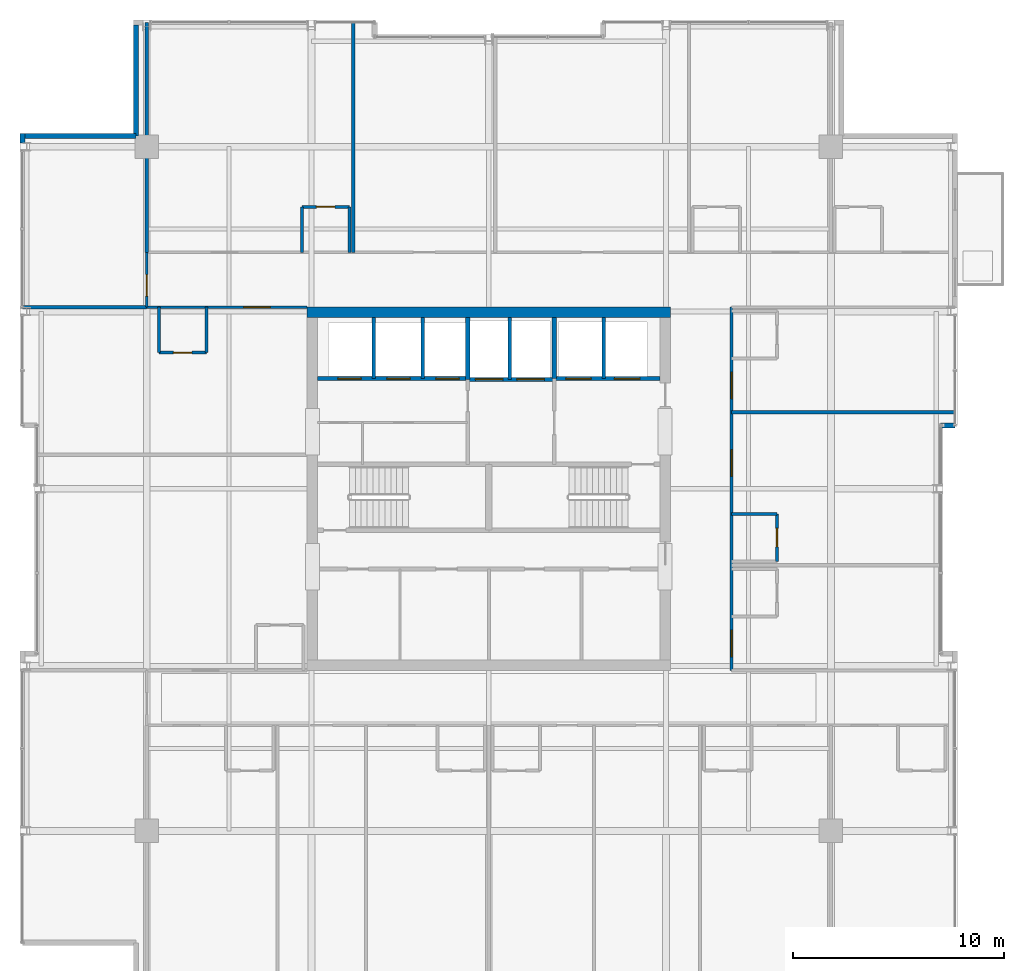
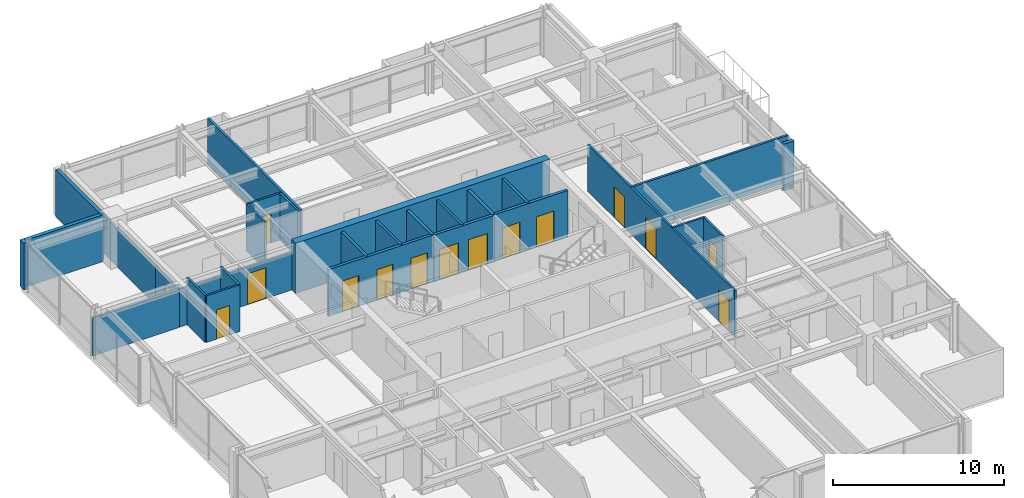
# One storey, part 29 of 33: 29 walls, 15 doors, 15 openings.
"""IFC4 building model written with IfcOpenShell, lengths in metres."""

from ifc_helpers import new_model, si_unit, direction, frame, frame_2d, origin, place, context, subcontext, project, spatial, rectangle, extrude, material, layer, layer_set, type_object, element, fill, save


model = new_model("IFC4")

# Units and contexts
model_context = context("Model", 3, precision=1e-05, world=origin(), true_north=direction((0.0, 1.0)))
body_context = subcontext(model_context, "Body", "Model", "MODEL_VIEW")
ifc_project = project(units=[si_unit("LENGTHUNIT", "METRE"), si_unit("AREAUNIT", "SQUARE_METRE"), si_unit("VOLUMEUNIT", "CUBIC_METRE"), si_unit("PLANEANGLEUNIT", "RADIAN"), si_unit("MASSUNIT", "GRAM", prefix="KILO")], contexts=[model_context])

# Site, building, storey
site_placement = place(None, origin())
site = spatial("IfcSite", under=ifc_project, at=site_placement, CompositionType="ELEMENT")
building_placement = place(site_placement, origin())
building = spatial("IfcBuilding", under=site, at=building_placement, Name="Drelvath Grand Hotel", CompositionType="ELEMENT")
storey_placement = place(building_placement, frame((0.0, 0.0, 248.300048828125)))
storey = spatial("IfcBuildingStorey", under=building, at=storey_placement, Name="L65", CompositionType="ELEMENT", Elevation=248.300048828125)

# Wall, openings, doors
ifc_material_1 = material(Name="Concrete C40/50", Category="concrete")
ifc_layer_1 = layer(ifc_material_1, 0.199951171875)
ifc_layer_set_1 = layer_set([ifc_layer_1], Name="Concrete C40/50")
wall_type_1 = type_object("IfcWallType", Name="Core Hoistway Fire Wall 200", PredefinedType="SOLIDWALL", material=ifc_layer_set_1)
wall_1_placement = place(storey_placement, frame((3.10009765625, 32.219970703125, 0.0), z_axis=(0.0, 0.0, 1.0), x_axis=(1.0, 0.0, 0.0)))
wall_1 = element("IfcWall", 1, at=wall_1_placement, inside=storey, type_object=wall_type_1, Name="L65 FSAE Hoistway Front Wall", PredefinedType="SOLIDWALL", context=body_context, shape_type="SweptSolid", body=[
    extrude(rectangle(XDim=5.0, YDim=0.199951171875, at=frame_2d((2.5, 0.0))), origin(), (0.0, 0.0, 1.0), 3.33984375),
])
opening_1_placement = place(wall_1_placement, frame((0.550048828125, 0.0, 0.0)))
opening_1 = element("IfcOpeningElement", 2, at=opening_1_placement, cuts=wall_1, Name="Opening LD-FSAE-1", PredefinedType="OPENING", context=body_context, shape_type="SweptSolid", body=[
    extrude(rectangle(XDim=1.199951171875, YDim=2.199951171875, at=frame_2d((0.60009765625, 1.10009765625))), frame((0.0, 0.10986328125, 0.0), z_axis=(0.0, -1.0, 0.0), x_axis=(1.0, 0.0, 0.0)), (0.0, 0.0, 1.0), 0.219970703125),
])
opening_2_placement = place(wall_1_placement, frame((2.85009765625, 0.0, 0.0)))
opening_2 = element("IfcOpeningElement", 3, at=opening_2_placement, cuts=wall_1, Name="Opening LD-FSAE-2", PredefinedType="OPENING", context=body_context, shape_type="SweptSolid", body=[
    extrude(rectangle(XDim=1.199951171875, YDim=2.199951171875, at=frame_2d((0.60009765625, 1.10009765625))), frame((0.0, 0.10986328125, 0.0), z_axis=(0.0, -1.0, 0.0), x_axis=(1.0, 0.0, 0.0)), (0.0, 0.0, 1.0), 0.219970703125),
])
ifc_material_2 = material(Name="Stainless Steel S355", Category="steel")
door_type_1 = type_object("IfcDoorType", Name="FSAE Lift Sliding Landing Door 1200x2200", OperationType="NOTDEFINED", PredefinedType="DOOR", material=ifc_material_2)
door_1_placement = place(opening_1_placement, origin())
door_1 = element("IfcDoor", 4, at=door_1_placement, inside=storey, type_object=door_type_1, Name="L65 Lift FSAE-1 Landing Door", OperationType="SLIDING_TO_LEFT", OverallHeight=2.199951171875, OverallWidth=1.199951171875, PredefinedType="DOOR", context=body_context, shape_type="SweptSolid", body=[
    extrude(rectangle(XDim=1.199951171875, YDim=2.199951171875, at=frame_2d((0.60009765625, 1.10009765625))), frame((0.0, 0.02490234375, 0.0), z_axis=(0.0, -1.0, 0.0), x_axis=(1.0, 0.0, 0.0)), (0.0, 0.0, 1.0), 0.050048828125),
])
fill(opening_1, door_1)
door_2_placement = place(opening_2_placement, origin())
door_2 = element("IfcDoor", 5, at=door_2_placement, inside=storey, type_object=door_type_1, Name="L65 Lift FSAE-2 Landing Door", OperationType="SLIDING_TO_LEFT", OverallHeight=2.199951171875, OverallWidth=1.199951171875, PredefinedType="DOOR", context=body_context, shape_type="SweptSolid", body=[
    extrude(rectangle(XDim=1.199951171875, YDim=2.199951171875, at=frame_2d((0.60009765625, 1.10009765625))), frame((0.0, 0.02490234375, 0.0), z_axis=(0.0, -1.0, 0.0), x_axis=(1.0, 0.0, 0.0)), (0.0, 0.0, 1.0), 0.050048828125),
])
fill(opening_2, door_2)

# Wall
wall_2_placement = place(storey_placement, frame((3.10009765625, 32.219970703125, 0.0), z_axis=(0.0, 0.0, 1.0), x_axis=(0.0, 1.0, 0.0)))
element("IfcWall", 6, at=wall_2_placement, inside=storey, type_object=wall_type_1, Name="L65 FSAE Hoistway West Wall", PredefinedType="SOLIDWALL", context=body_context, shape_type="SweptSolid", body=[
    extrude(rectangle(XDim=2.880126953125, YDim=0.199951171875, at=frame_2d((1.43994140625, 0.0))), origin(), (0.0, 0.0, 1.0), 3.33984375),
])

# Wall, openings, doors
wall_3_placement = place(storey_placement, frame((-1.0, 32.179931640625, 0.0), z_axis=(0.0, 0.0, 1.0), x_axis=(1.0, 0.0, 0.0)))
wall_3 = element("IfcWall", 7, at=wall_3_placement, inside=storey, type_object=wall_type_1, Name="L65 Service Lift Hoistway Wall", PredefinedType="SOLIDWALL", context=body_context, shape_type="SweptSolid", body=[
    extrude(rectangle(XDim=4.10009765625, YDim=0.199951171875, at=frame_2d((2.050048828125, 0.0))), origin(), (0.0, 0.0, 1.0), 3.33984375),
])
opening_3_placement = place(wall_3_placement, frame((0.3701171875, 0.0, 0.0)))
opening_3 = element("IfcOpeningElement", 8, at=opening_3_placement, cuts=wall_3, Name="Opening LD-SV-2", PredefinedType="OPENING", context=body_context, shape_type="SweptSolid", body=[
    extrude(rectangle(XDim=1.300048828125, YDim=2.199951171875, at=frame_2d((0.64990234375, 1.10009765625))), frame((0.0, 0.10986328125, 0.0), z_axis=(0.0, -1.0, 0.0), x_axis=(1.0, 0.0, 0.0)), (0.0, 0.0, 1.0), 0.219970703125),
])
opening_4_placement = place(wall_3_placement, frame((2.330078125, 0.0, 0.0)))
opening_4 = element("IfcOpeningElement", 9, at=opening_4_placement, cuts=wall_3, Name="Opening LD-SV-1", PredefinedType="OPENING", context=body_context, shape_type="SweptSolid", body=[
    extrude(rectangle(XDim=1.300048828125, YDim=2.199951171875, at=frame_2d((0.64990234375, 1.10009765625))), frame((0.0, 0.10986328125, 0.0), z_axis=(0.0, -1.0, 0.0), x_axis=(1.0, 0.0, 0.0)), (0.0, 0.0, 1.0), 0.219970703125),
])
door_type_2 = type_object("IfcDoorType", Name="Service Lift Sliding Landing Door 1300x2200", OperationType="NOTDEFINED", PredefinedType="DOOR", material=ifc_material_2)
door_3_placement = place(opening_3_placement, origin())
door_3 = element("IfcDoor", 10, at=door_3_placement, inside=storey, type_object=door_type_2, Name="L65 Lift SV-2 Landing Door", OperationType="SLIDING_TO_LEFT", OverallHeight=2.199951171875, OverallWidth=1.300048828125, PredefinedType="DOOR", context=body_context, shape_type="SweptSolid", body=[
    extrude(rectangle(XDim=1.300048828125, YDim=2.199951171875, at=frame_2d((0.64990234375, 1.10009765625))), frame((0.0, 0.02490234375, 0.0), z_axis=(0.0, -1.0, 0.0), x_axis=(1.0, 0.0, 0.0)), (0.0, 0.0, 1.0), 0.050048828125),
])
fill(opening_3, door_3)
door_4_placement = place(opening_4_placement, origin())
door_4 = element("IfcDoor", 11, at=door_4_placement, inside=storey, type_object=door_type_2, Name="L65 Lift SV-1 Landing Door", OperationType="SLIDING_TO_LEFT", OverallHeight=2.199951171875, OverallWidth=1.300048828125, PredefinedType="DOOR", context=body_context, shape_type="SweptSolid", body=[
    extrude(rectangle(XDim=1.300048828125, YDim=2.199951171875, at=frame_2d((0.64990234375, 1.10009765625))), frame((0.0, 0.02490234375, 0.0), z_axis=(0.0, -1.0, 0.0), x_axis=(1.0, 0.0, 0.0)), (0.0, 0.0, 1.0), 0.050048828125),
])
fill(opening_4, door_4)

# Wall
wall_4_placement = place(storey_placement, frame((-1.0, 32.179931640625, 0.0), z_axis=(0.0, 0.0, 1.0), x_axis=(0.0, 1.0, 0.0)))
element("IfcWall", 12, at=wall_4_placement, inside=storey, type_object=wall_type_1, Name="L65 Service Lift West Wall", PredefinedType="SOLIDWALL", context=body_context, shape_type="SweptSolid", body=[
    extrude(rectangle(XDim=2.920166015625, YDim=0.199951171875, at=frame_2d((1.4599609375, 0.0))), origin(), (0.0, 0.0, 1.0), 3.33984375),
])

# Wall, openings, doors
wall_5_placement = place(storey_placement, frame((-8.10009765625, 32.219970703125, 0.0), z_axis=(0.0, 0.0, 1.0), x_axis=(1.0, 0.0, 0.0)))
wall_5 = element("IfcWall", 13, at=wall_5_placement, inside=storey, type_object=wall_type_1, Name="L65 Bank 3 Hoistway Wall", PredefinedType="SOLIDWALL", context=body_context, shape_type="SweptSolid", body=[
    extrude(rectangle(XDim=7.10009765625, YDim=0.199951171875, at=frame_2d((3.550048828125, 0.0))), origin(), (0.0, 0.0, 1.0), 3.33984375),
])
opening_5_placement = place(wall_5_placement, frame((0.949951171875, 0.0, 0.0)))
opening_5 = element("IfcOpeningElement", 14, at=opening_5_placement, cuts=wall_5, Name="Opening LD-PE-7", PredefinedType="OPENING", context=body_context, shape_type="SweptSolid", body=[
    extrude(rectangle(XDim=1.10009765625, YDim=2.199951171875, at=frame_2d((0.550048828125, 1.10009765625))), frame((0.0, 0.10986328125, 0.0), z_axis=(0.0, -1.0, 0.0), x_axis=(1.0, 0.0, 0.0)), (0.0, 0.0, 1.0), 0.219970703125),
])
opening_6_placement = place(wall_5_placement, frame((3.27001953125, 0.0, 0.0)))
opening_6 = element("IfcOpeningElement", 15, at=opening_6_placement, cuts=wall_5, Name="Opening LD-PE-8", PredefinedType="OPENING", context=body_context, shape_type="SweptSolid", body=[
    extrude(rectangle(XDim=1.10009765625, YDim=2.199951171875, at=frame_2d((0.550048828125, 1.10009765625))), frame((0.0, 0.10986328125, 0.0), z_axis=(0.0, -1.0, 0.0), x_axis=(1.0, 0.0, 0.0)), (0.0, 0.0, 1.0), 0.219970703125),
])
opening_7_placement = place(wall_5_placement, frame((5.590087890625, 0.0, 0.0)))
opening_7 = element("IfcOpeningElement", 16, at=opening_7_placement, cuts=wall_5, Name="Opening LD-PE-9", PredefinedType="OPENING", context=body_context, shape_type="SweptSolid", body=[
    extrude(rectangle(XDim=1.10009765625, YDim=2.199951171875, at=frame_2d((0.550048828125, 1.10009765625))), frame((0.0, 0.10986328125, 0.0), z_axis=(0.0, -1.0, 0.0), x_axis=(1.0, 0.0, 0.0)), (0.0, 0.0, 1.0), 0.219970703125),
])
door_type_3 = type_object("IfcDoorType", Name="Passenger Lift Sliding Landing Door 1100x2200", OperationType="NOTDEFINED", PredefinedType="DOOR", material=ifc_material_2)
door_5_placement = place(opening_5_placement, origin())
door_5 = element("IfcDoor", 17, at=door_5_placement, inside=storey, type_object=door_type_3, Name="L65 Lift PE-7 Landing Door", OperationType="SLIDING_TO_LEFT", OverallHeight=2.199951171875, OverallWidth=1.10009765625, PredefinedType="DOOR", context=body_context, shape_type="SweptSolid", body=[
    extrude(rectangle(XDim=1.10009765625, YDim=2.199951171875, at=frame_2d((0.550048828125, 1.10009765625))), frame((0.0, 0.02490234375, 0.0), z_axis=(0.0, -1.0, 0.0), x_axis=(1.0, 0.0, 0.0)), (0.0, 0.0, 1.0), 0.050048828125),
])
fill(opening_5, door_5)
door_6_placement = place(opening_6_placement, origin())
door_6 = element("IfcDoor", 18, at=door_6_placement, inside=storey, type_object=door_type_3, Name="L65 Lift PE-8 Landing Door", OperationType="SLIDING_TO_LEFT", OverallHeight=2.199951171875, OverallWidth=1.10009765625, PredefinedType="DOOR", context=body_context, shape_type="SweptSolid", body=[
    extrude(rectangle(XDim=1.10009765625, YDim=2.199951171875, at=frame_2d((0.550048828125, 1.10009765625))), frame((0.0, 0.02490234375, 0.0), z_axis=(0.0, -1.0, 0.0), x_axis=(1.0, 0.0, 0.0)), (0.0, 0.0, 1.0), 0.050048828125),
])
fill(opening_6, door_6)
door_7_placement = place(opening_7_placement, origin())
door_7 = element("IfcDoor", 19, at=door_7_placement, inside=storey, type_object=door_type_3, Name="L65 Lift PE-9 Landing Door", OperationType="SLIDING_TO_LEFT", OverallHeight=2.199951171875, OverallWidth=1.10009765625, PredefinedType="DOOR", context=body_context, shape_type="SweptSolid", body=[
    extrude(rectangle(XDim=1.10009765625, YDim=2.199951171875, at=frame_2d((0.550048828125, 1.10009765625))), frame((0.0, 0.02490234375, 0.0), z_axis=(0.0, -1.0, 0.0), x_axis=(1.0, 0.0, 0.0)), (0.0, 0.0, 1.0), 0.050048828125),
])
fill(opening_7, door_7)

# Walls
ifc_material_3 = material(Name="Gypsum Fireboard Partition")
ifc_layer_2 = layer(ifc_material_3, 0.1650390625)
ifc_layer_set_2 = layer_set([ifc_layer_2], Name="Gypsum Fireboard Partition")
wall_type_2 = type_object("IfcWallType", Name="Core Shaft Partition 165", PredefinedType="PARTITIONING", material=ifc_layer_set_2)
wall_6_placement = place(storey_placement, frame((5.449951171875, 32.219970703125, 0.0), z_axis=(0.0, 0.0, 1.0), x_axis=(0.0, 1.0, 0.0)))
element("IfcWall", 20, at=wall_6_placement, inside=storey, type_object=wall_type_2, Name="L65 FSAE Hoistway Divider", PredefinedType="PARTITIONING", context=body_context, shape_type="SweptSolid", body=[
    extrude(rectangle(XDim=2.880126953125, YDim=0.1650390625, at=frame_2d((1.43994140625, 0.0))), origin(), (0.0, 0.0, 1.0), 3.33984375),
])
wall_7_placement = place(storey_placement, frame((1.0, 32.179931640625, 0.0), z_axis=(0.0, 0.0, 1.0), x_axis=(0.0, 1.0, 0.0)))
element("IfcWall", 21, at=wall_7_placement, inside=storey, type_object=wall_type_2, Name="L65 Service Lift Divider", PredefinedType="PARTITIONING", context=body_context, shape_type="SweptSolid", body=[
    extrude(rectangle(XDim=2.920166015625, YDim=0.1650390625, at=frame_2d((1.4599609375, 0.0))), origin(), (0.0, 0.0, 1.0), 3.33984375),
])
for number, where, z_axis, x_axis, name in (
    (22, (-5.43994140625, 32.219970703125, 0.0), (0.0, 0.0, 1.0), (0.0, 1.0, 0.0), "L65 Lift PE-7/8 Divider"),
    (23, (-3.1201171875, 32.219970703125, 0.0), (0.0, 0.0, 1.0), (0.0, 1.0, 0.0), "L65 Lift PE-8/9 Divider"),
):
    element("IfcWall", number, at=place(storey_placement, frame(where, z_axis=z_axis, x_axis=x_axis)), inside=storey, type_object=wall_type_2, Name=name, PredefinedType="PARTITIONING", context=body_context, shape_type="SweptSolid", body=[
        extrude(rectangle(XDim=2.880126953125, YDim=0.1650390625, at=frame_2d((1.43994140625, 0.0))), origin(), (0.0, 0.0, 1.0), 3.33984375),
    ])

# Wall, opening, door
ifc_layer_3 = layer(ifc_material_3, 0.135009765625)
ifc_layer_set_3 = layer_set([ifc_layer_3], Name="Gypsum Fireboard Partition")
wall_type_3 = type_object("IfcWallType", Name="Corridor Fire Barrier Wall 135", PredefinedType="PARTITIONING", material=ifc_layer_set_3)
wall_8_placement = place(storey_placement, frame((-16.199951171875, 35.60009765625, 0.0), z_axis=(0.0, 0.0, 1.0), x_axis=(1.0, 0.0, 0.0)))
wall_8 = element("IfcWall", 24, at=wall_8_placement, inside=storey, type_object=wall_type_3, Name="L65 North Gallery Inner West Wall", PredefinedType="PARTITIONING", context=body_context, shape_type="SweptSolid", body=[
    extrude(rectangle(XDim=7.599853515625, YDim=0.135009765625, at=frame_2d((3.7998046875, 0.0))), origin(), (0.0, 0.0, 1.0), 2.71728515625),
])
opening_8_placement = place(wall_8_placement, frame((4.5849609375, 0.0, 0.0)))
opening_8 = element("IfcOpeningElement", 25, at=opening_8_placement, cuts=wall_8, Name="Opening D-T4G5-051", PredefinedType="OPENING", context=body_context, shape_type="SweptSolid", body=[
    extrude(rectangle(XDim=1.260009765625, YDim=2.199951171875, at=frame_2d((0.6298828125, 1.10009765625))), frame((0.0, 0.077392578125, 0.0), z_axis=(0.0, -1.0, 0.0), x_axis=(1.0, 0.0, 0.0)), (0.0, 0.0, 1.0), 0.155029296875),
])
ifc_material_4 = material(Name="Hardwood Walnut Timber", Category="wood")
door_type_4 = type_object("IfcDoorType", Name="Suite Entrance Fire Door 1260x2200", OperationType="NOTDEFINED", PredefinedType="DOOR", material=ifc_material_4)
door_8_placement = place(opening_8_placement, origin())
door_8 = element("IfcDoor", 26, at=door_8_placement, inside=storey, type_object=door_type_4, Name="L65 Diplomatic Suite Entry Door", OperationType="SINGLE_SWING_RIGHT", OverallHeight=2.199951171875, OverallWidth=1.260009765625, PredefinedType="DOOR", context=body_context, shape_type="SweptSolid", body=[
    extrude(rectangle(XDim=1.260009765625, YDim=2.199951171875, at=frame_2d((0.6298828125, 1.10009765625))), frame((0.0, 0.02490234375, 0.0), z_axis=(0.0, -1.0, 0.0), x_axis=(1.0, 0.0, 0.0)), (0.0, 0.0, 1.0), 0.050048828125),
])
fill(opening_8, door_8)

# Wall, openings, doors
wall_9_placement = place(storey_placement, frame((11.5, 18.39990234375, 0.0), z_axis=(0.0, 0.0, 1.0), x_axis=(0.0, 1.0, 0.0)))
wall_9 = element("IfcWall", 27, at=wall_9_placement, inside=storey, type_object=wall_type_3, Name="L65 East Gallery Link Wall", PredefinedType="PARTITIONING", context=body_context, shape_type="SweptSolid", body=[
    extrude(rectangle(XDim=17.2001953125, YDim=0.135009765625, at=frame_2d((8.60009765625, 0.0))), origin(), (0.0, 0.0, 1.0), 3.33984375),
])
opening_9_placement = place(wall_9_placement, frame((0.64453125, 0.0, 0.0)))
opening_9 = element("IfcOpeningElement", 28, at=opening_9_placement, cuts=wall_9, Name="Opening D-T4G5-043", PredefinedType="OPENING", context=body_context, shape_type="SweptSolid", body=[
    extrude(rectangle(XDim=1.260009765625, YDim=2.199951171875, at=frame_2d((0.6298828125, 1.10009765625))), frame((0.0, 0.077392578125, 0.0), z_axis=(0.0, -1.0, 0.0), x_axis=(1.0, 0.0, 0.0)), (0.0, 0.0, 1.0), 0.155029296875),
])
opening_10_placement = place(wall_9_placement, frame((9.18505859375, 0.0, 0.0)))
opening_10 = element("IfcOpeningElement", 29, at=opening_10_placement, cuts=wall_9, Name="Opening D-T4G5-045", PredefinedType="OPENING", context=body_context, shape_type="SweptSolid", body=[
    extrude(rectangle(XDim=1.260009765625, YDim=2.199951171875, at=frame_2d((0.6298828125, 1.10009765625))), frame((0.0, 0.077392578125, 0.0), z_axis=(0.0, -1.0, 0.0), x_axis=(1.0, 0.0, 0.0)), (0.0, 0.0, 1.0), 0.155029296875),
])
opening_11_placement = place(wall_9_placement, frame((12.865478515625, 0.0, 0.0)))
opening_11 = element("IfcOpeningElement", 30, at=opening_11_placement, cuts=wall_9, Name="Opening D-T4G5-047", PredefinedType="OPENING", context=body_context, shape_type="SweptSolid", body=[
    extrude(rectangle(XDim=1.260009765625, YDim=2.199951171875, at=frame_2d((0.6298828125, 1.10009765625))), frame((0.0, 0.077392578125, 0.0), z_axis=(0.0, -1.0, 0.0), x_axis=(1.0, 0.0, 0.0)), (0.0, 0.0, 1.0), 0.155029296875),
])
door_9_placement = place(opening_9_placement, origin())
door_9 = element("IfcDoor", 31, at=door_9_placement, inside=storey, type_object=door_type_4, Name="L65 Diplomatic Suite Entry Door", OperationType="SINGLE_SWING_RIGHT", OverallHeight=2.199951171875, OverallWidth=1.260009765625, PredefinedType="DOOR", context=body_context, shape_type="SweptSolid", body=[
    extrude(rectangle(XDim=1.260009765625, YDim=2.199951171875, at=frame_2d((0.6298828125, 1.10009765625))), frame((0.0, 0.02490234375, 0.0), z_axis=(0.0, -1.0, 0.0), x_axis=(1.0, 0.0, 0.0)), (0.0, 0.0, 1.0), 0.050048828125),
])
fill(opening_9, door_9)
door_10_placement = place(opening_10_placement, origin())
door_10 = element("IfcDoor", 32, at=door_10_placement, inside=storey, type_object=door_type_4, Name="L65 Diplomatic Suite Entry Door", OperationType="SINGLE_SWING_RIGHT", OverallHeight=2.199951171875, OverallWidth=1.260009765625, PredefinedType="DOOR", context=body_context, shape_type="SweptSolid", body=[
    extrude(rectangle(XDim=1.260009765625, YDim=2.199951171875, at=frame_2d((0.6298828125, 1.10009765625))), frame((0.0, 0.02490234375, 0.0), z_axis=(0.0, -1.0, 0.0), x_axis=(1.0, 0.0, 0.0)), (0.0, 0.0, 1.0), 0.050048828125),
])
fill(opening_10, door_10)
door_11_placement = place(opening_11_placement, origin())
door_11 = element("IfcDoor", 33, at=door_11_placement, inside=storey, type_object=door_type_4, Name="L65 Diplomatic Suite Entry Door", OperationType="SINGLE_SWING_RIGHT", OverallHeight=2.199951171875, OverallWidth=1.260009765625, PredefinedType="DOOR", context=body_context, shape_type="SweptSolid", body=[
    extrude(rectangle(XDim=1.260009765625, YDim=2.199951171875, at=frame_2d((0.6298828125, 1.10009765625))), frame((0.0, 0.02490234375, 0.0), z_axis=(0.0, -1.0, 0.0), x_axis=(1.0, 0.0, 0.0)), (0.0, 0.0, 1.0), 0.050048828125),
])
fill(opening_11, door_11)

# Wall, opening, door
wall_10_placement = place(storey_placement, frame((-16.199951171875, 35.60009765625, 0.0), z_axis=(0.0, 0.0, 1.0), x_axis=(0.0, 1.0, 0.0)))
wall_10 = element("IfcWall", 34, at=wall_10_placement, inside=storey, type_object=wall_type_3, Name="L65 North Gallery West End", PredefinedType="PARTITIONING", context=body_context, shape_type="SweptSolid", body=[
    extrude(rectangle(XDim=2.599853515625, YDim=0.135009765625, at=frame_2d((1.2998046875, 0.0))), origin(), (0.0, 0.0, 1.0), 2.7138671875),
])
opening_12_placement = place(wall_10_placement, frame((0.52001953125, 0.0, 0.0)))
opening_12 = element("IfcOpeningElement", 35, at=opening_12_placement, cuts=wall_10, Name="Opening D-T4G5-021", PredefinedType="OPENING", context=body_context, shape_type="SweptSolid", body=[
    extrude(rectangle(XDim=1.02001953125, YDim=2.14990234375, at=frame_2d((0.510009765625, 1.074951171875))), frame((0.0, 0.077392578125, 0.0), z_axis=(0.0, -1.0, 0.0), x_axis=(1.0, 0.0, 0.0)), (0.0, 0.0, 1.0), 0.155029296875),
])
door_type_5 = type_object("IfcDoorType", Name="Amenity Meeting Fire Door 1020x2150", OperationType="NOTDEFINED", PredefinedType="DOOR", material=ifc_material_4)
door_12_placement = place(opening_12_placement, origin())
door_12 = element("IfcDoor", 36, at=door_12_placement, inside=storey, type_object=door_type_5, Name="L65 Corner Panorama Lounge Door", OperationType="SINGLE_SWING_RIGHT", OverallHeight=2.14990234375, OverallWidth=1.02001953125, PredefinedType="DOOR", context=body_context, shape_type="SweptSolid", body=[
    extrude(rectangle(XDim=1.02001953125, YDim=2.14990234375, at=frame_2d((0.510009765625, 1.074951171875))), frame((0.0, 0.02490234375, 0.0), z_axis=(0.0, -1.0, 0.0), x_axis=(1.0, 0.0, 0.0)), (0.0, 0.0, 1.0), 0.050048828125),
])
fill(opening_12, door_12)

# Walls
ifc_material_5 = material(Name="Moisture-Resistant Gypsum Board")
ifc_layer_4 = layer(ifc_material_5, 0.139892578125)
ifc_layer_set_4 = layer_set([ifc_layer_4], Name="Moisture-Resistant Gypsum Board")
wall_type_4 = type_object("IfcWallType", Name="En-Suite Plumbing Wall 140", PredefinedType="PLUMBINGWALL", material=ifc_layer_set_4)
for number, where, z_axis, x_axis, name in (
    (37, (-8.848876953125, 38.199951171875, 0.0), (0.0, 0.0, 1.0), (0.0, 1.0, 0.0), "L65 En-Suite Left Wall"),
    (38, (-6.598876953125, 38.199951171875, 0.0), (0.0, 0.0, 1.0), (0.0, 1.0, 0.0), "L65 En-Suite Right Wall"),
):
    element("IfcWall", number, at=place(storey_placement, frame(where, z_axis=z_axis, x_axis=x_axis)), inside=storey, type_object=wall_type_4, Name=name, PredefinedType="PLUMBINGWALL", context=body_context, shape_type="SweptSolid", body=[
        extrude(rectangle(XDim=2.150146484375, YDim=0.139892578125, at=frame_2d((1.0751953125, 0.0))), origin(), (0.0, 0.0, 1.0), 3.33984375),
    ])

# Wall, opening, door
wall_11_placement = place(storey_placement, frame((-8.848876953125, 40.35009765625, 0.0), z_axis=(0.0, 0.0, 1.0), x_axis=(1.0, 0.0, 0.0)))
wall_11 = element("IfcWall", 39, at=wall_11_placement, inside=storey, type_object=wall_type_4, Name="L65 En-Suite Front Wall", PredefinedType="PLUMBINGWALL", context=body_context, shape_type="SweptSolid", body=[
    extrude(rectangle(XDim=2.25, YDim=0.139892578125, at=frame_2d((1.125, 0.0))), origin(), (0.0, 0.0, 1.0), 3.33984375),
])
opening_13_placement = place(wall_11_placement, frame((0.68505859375, 0.0, 0.0)))
opening_13 = element("IfcOpeningElement", 40, at=opening_13_placement, cuts=wall_11, Name="Opening D-T4G5-036", PredefinedType="OPENING", context=body_context, shape_type="SweptSolid", body=[
    extrude(rectangle(XDim=0.8798828125, YDim=2.10009765625, at=frame_2d((0.43994140625, 1.050048828125))), frame((0.0, 0.079833984375, 0.0), z_axis=(0.0, -1.0, 0.0), x_axis=(1.0, 0.0, 0.0)), (0.0, 0.0, 1.0), 0.159912109375),
])
door_type_6 = type_object("IfcDoorType", Name="En-Suite Bathroom Door 880x2100", OperationType="NOTDEFINED", PredefinedType="DOOR", material=ifc_material_4)
door_13_placement = place(opening_13_placement, origin())
door_13 = element("IfcDoor", 41, at=door_13_placement, inside=storey, type_object=door_type_6, Name="L65 En-Suite Bathroom Door", OperationType="SINGLE_SWING_LEFT", OverallHeight=2.10009765625, OverallWidth=0.8798828125, PredefinedType="DOOR", context=body_context, shape_type="SweptSolid", body=[
    extrude(rectangle(XDim=0.8798828125, YDim=2.10009765625, at=frame_2d((0.43994140625, 1.050048828125))), frame((0.0, 0.02490234375, 0.0), z_axis=(0.0, -1.0, 0.0), x_axis=(1.0, 0.0, 0.0)), (0.0, 0.0, 1.0), 0.050048828125),
])
fill(opening_13, door_13)

# Wall
wall_12_placement = place(storey_placement, frame((11.5, 25.808837890625, 0.0), z_axis=(0.0, 0.0, 1.0), x_axis=(1.0, 0.0, 0.0)))
element("IfcWall", 42, at=wall_12_placement, inside=storey, type_object=wall_type_4, Name="L65 En-Suite Right Wall", PredefinedType="PLUMBINGWALL", context=body_context, shape_type="SweptSolid", body=[
    extrude(rectangle(XDim=2.14990234375, YDim=0.139892578125, at=frame_2d((1.074951171875, 0.0))), origin(), (0.0, 0.0, 1.0), 3.33984375),
])

# Wall, opening, door
wall_13_placement = place(storey_placement, frame((13.64990234375, 23.558837890625, 0.0), z_axis=(0.0, 0.0, 1.0), x_axis=(0.0, 1.0, 0.0)))
wall_13 = element("IfcWall", 43, at=wall_13_placement, inside=storey, type_object=wall_type_4, Name="L65 En-Suite Front Wall", PredefinedType="PLUMBINGWALL", context=body_context, shape_type="SweptSolid", body=[
    extrude(rectangle(XDim=2.25, YDim=0.139892578125, at=frame_2d((1.125, 0.0))), origin(), (0.0, 0.0, 1.0), 3.33984375),
])
opening_14_placement = place(wall_13_placement, frame((0.68505859375, 0.0, 0.0)))
opening_14 = element("IfcOpeningElement", 44, at=opening_14_placement, cuts=wall_13, Name="Opening D-T4G5-044", PredefinedType="OPENING", context=body_context, shape_type="SweptSolid", body=[
    extrude(rectangle(XDim=0.8798828125, YDim=2.10009765625, at=frame_2d((0.43994140625, 1.050048828125))), frame((0.0, 0.079833984375, 0.0), z_axis=(0.0, -1.0, 0.0), x_axis=(1.0, 0.0, 0.0)), (0.0, 0.0, 1.0), 0.159912109375),
])
door_14_placement = place(opening_14_placement, origin())
door_14 = element("IfcDoor", 45, at=door_14_placement, inside=storey, type_object=door_type_6, Name="L65 En-Suite Bathroom Door", OperationType="SINGLE_SWING_LEFT", OverallHeight=2.10009765625, OverallWidth=0.8798828125, PredefinedType="DOOR", context=body_context, shape_type="SweptSolid", body=[
    extrude(rectangle(XDim=0.8798828125, YDim=2.10009765625, at=frame_2d((0.43994140625, 1.050048828125))), frame((0.0, 0.02490234375, 0.0), z_axis=(0.0, -1.0, 0.0), x_axis=(1.0, 0.0, 0.0)), (0.0, 0.0, 1.0), 0.050048828125),
])
fill(opening_14, door_14)

# Walls
for number, where, z_axis, x_axis, name in (
    (46, (-15.6201171875, 35.60009765625, 0.0), (0.0, 0.0, 1.0), (0.0, -1.0, 0.0), "L65 En-Suite Left Wall"),
    (47, (-13.3701171875, 35.60009765625, 0.0), (0.0, 0.0, 1.0), (0.0, -1.0, 0.0), "L65 En-Suite Right Wall"),
):
    element("IfcWall", number, at=place(storey_placement, frame(where, z_axis=z_axis, x_axis=x_axis)), inside=storey, type_object=wall_type_4, Name=name, PredefinedType="PLUMBINGWALL", context=body_context, shape_type="SweptSolid", body=[
        extrude(rectangle(XDim=2.150146484375, YDim=0.139892578125, at=frame_2d((1.0751953125, 0.0))), origin(), (0.0, 0.0, 1.0), 3.33984375),
    ])

# Wall, opening, door
wall_14_placement = place(storey_placement, frame((-15.6201171875, 33.449951171875, 0.0), z_axis=(0.0, 0.0, 1.0), x_axis=(1.0, 0.0, 0.0)))
wall_14 = element("IfcWall", 48, at=wall_14_placement, inside=storey, type_object=wall_type_4, Name="L65 En-Suite Front Wall", PredefinedType="PLUMBINGWALL", context=body_context, shape_type="SweptSolid", body=[
    extrude(rectangle(XDim=2.25, YDim=0.139892578125, at=frame_2d((1.125, 0.0))), origin(), (0.0, 0.0, 1.0), 3.33984375),
])
opening_15_placement = place(wall_14_placement, frame((0.68505859375, 0.0, 0.0)))
opening_15 = element("IfcOpeningElement", 49, at=opening_15_placement, cuts=wall_14, Name="Opening D-T4G5-050", PredefinedType="OPENING", context=body_context, shape_type="SweptSolid", body=[
    extrude(rectangle(XDim=0.8798828125, YDim=2.10009765625, at=frame_2d((0.43994140625, 1.050048828125))), frame((0.0, 0.079833984375, 0.0), z_axis=(0.0, -1.0, 0.0), x_axis=(1.0, 0.0, 0.0)), (0.0, 0.0, 1.0), 0.159912109375),
])
door_15_placement = place(opening_15_placement, origin())
door_15 = element("IfcDoor", 50, at=door_15_placement, inside=storey, type_object=door_type_6, Name="L65 En-Suite Bathroom Door", OperationType="SINGLE_SWING_LEFT", OverallHeight=2.10009765625, OverallWidth=0.8798828125, PredefinedType="DOOR", context=body_context, shape_type="SweptSolid", body=[
    extrude(rectangle(XDim=0.8798828125, YDim=2.10009765625, at=frame_2d((0.43994140625, 1.050048828125))), frame((0.0, 0.02490234375, 0.0), z_axis=(0.0, -1.0, 0.0), x_axis=(1.0, 0.0, 0.0)), (0.0, 0.0, 1.0), 0.050048828125),
])
fill(opening_15, door_15)

# Walls
ifc_material_6 = material(Name="Gypsum Acoustic Partition")
ifc_layer_5 = layer(ifc_material_6, 0.14990234375)
ifc_layer_set_5 = layer_set([ifc_layer_5], Name="Gypsum Acoustic Partition")
wall_type_5 = type_object("IfcWallType", Name="Guestroom Demising Wall 150", PredefinedType="PARTITIONING", material=ifc_layer_set_5)
wall_15_placement = place(storey_placement, frame((-6.4189453125, 38.199951171875, 0.0), z_axis=(0.0, 0.0, 1.0), x_axis=(0.0, 1.0, 0.0)))
element("IfcWall", 51, at=wall_15_placement, inside=storey, type_object=wall_type_5, Name="L65 North Demising 1", PredefinedType="PARTITIONING", context=body_context, shape_type="SweptSolid", body=[
    extrude(rectangle(XDim=10.880126953125, YDim=0.14990234375, at=frame_2d((5.43994140625, 0.0))), origin(), (0.0, 0.0, 1.0), 3.33984375),
])
wall_16_placement = place(storey_placement, frame((11.5, 30.62109375, 0.0), z_axis=(0.0, 0.0, 1.0), x_axis=(1.0, 0.0, 0.0)))
element("IfcWall", 52, at=wall_16_placement, inside=storey, type_object=wall_type_5, Name="L65 East Demising 2", PredefinedType="PARTITIONING", context=body_context, shape_type="SweptSolid", body=[
    extrude(rectangle(XDim=10.580078125, YDim=0.14990234375, at=frame_2d((5.2900390625, 0.0))), origin(), (0.0, 0.0, 1.0), 3.33984375),
])
ifc_layer_6 = layer(ifc_material_6, 0.1650390625)
ifc_layer_set_6 = layer_set([ifc_layer_6], Name="Gypsum Acoustic Partition")
wall_type_6 = type_object("IfcWallType", Name="Suite Demising Wall 165", PredefinedType="PARTITIONING", material=ifc_layer_set_6)
wall_17_placement = place(storey_placement, frame((-16.199951171875, 38.199951171875, 0.0), z_axis=(0.0, 0.0, 1.0), x_axis=(0.0, 1.0, 0.0)))
element("IfcWall", 53, at=wall_17_placement, inside=storey, type_object=wall_type_6, Name="L65 NW Suite Wall", PredefinedType="PARTITIONING", context=body_context, shape_type="SweptSolid", body=[
    extrude(rectangle(XDim=10.880126953125, YDim=0.1650390625, at=frame_2d((5.43994140625, 0.0))), origin(), (0.0, 0.0, 1.0), 2.7138671875),
])
wall_18_placement = place(storey_placement, frame((-22.080078125, 35.60009765625, 0.0), z_axis=(0.0, 0.0, 1.0), x_axis=(1.0, 0.0, 0.0)))
element("IfcWall", 54, at=wall_18_placement, inside=storey, type_object=wall_type_6, Name="L65 NW Corner South Wall", PredefinedType="PARTITIONING", context=body_context, shape_type="SweptSolid", body=[
    extrude(rectangle(XDim=5.880126953125, YDim=0.1650390625, at=frame_2d((2.93994140625, 0.0))), origin(), (0.0, 0.0, 1.0), 2.7138671875),
])
ifc_material_7 = material(Name="Pale-Metal Insulated Aluminium Spandrel Assembly", Category="aluminium")
ifc_layer_7 = layer(ifc_material_7, 0.239990234375)
ifc_layer_set_7 = layer_set([ifc_layer_7], Name="Pale-Metal Insulated Aluminium Spandrel Assembly")
wall_type_7 = type_object("IfcWallType", Name="Tower Insulated Metal Spandrel Closure Wall 240", PredefinedType="STANDARD", material=ifc_layer_set_7)
wall_19_placement = place(storey_placement, frame((-22.080078125, 43.378173828125, 0.0), z_axis=(0.0, 0.0, 1.0), x_axis=(0.0, 1.0, 0.0)))
element("IfcWall", 55, at=wall_19_placement, inside=storey, type_object=wall_type_7, Name="L65 Corner Pier Spandrel Wall WN3", PredefinedType="STANDARD", context=body_context, shape_type="SweptSolid", body=[
    extrude(rectangle(XDim=0.44189453125, YDim=0.239990234375, at=frame_2d((0.220947265625, 0.0))), origin(), (0.0, 0.0, 1.0), 3.33984375),
])
for number, where, z_axis, x_axis, name in (
    (56, (-21.9599609375, 43.699951171875, 0.0), (0.0, 0.0, 1.0), (1.0, 0.0, 0.0), "L65 Notched Corner Return Spandrel Wall CNW1"),
    (57, (-16.699951171875, 43.699951171875, 0.0), (0.0, 0.0, 1.0), (0.0, 1.0, 0.0), "L65 Notched Corner Return Spandrel Wall CNW2"),
):
    element("IfcWall", number, at=place(storey_placement, frame(where, z_axis=z_axis, x_axis=x_axis)), inside=storey, type_object=wall_type_7, Name=name, PredefinedType="STANDARD", context=body_context, shape_type="SweptSolid", body=[
        extrude(rectangle(XDim=5.260009765625, YDim=0.239990234375, at=frame_2d((2.6298828125, 0.0))), origin(), (0.0, 0.0, 1.0), 3.33984375),
    ])
wall_20_placement = place(storey_placement, frame((22.080078125, 30.0, 0.0), z_axis=(0.0, 0.0, 1.0), x_axis=(-1.0, 0.0, 0.0)))
element("IfcWall", 58, at=wall_20_placement, inside=storey, type_object=wall_type_7, Name="L65 Notched Corner Return Spandrel Wall RE1", PredefinedType="STANDARD", context=body_context, shape_type="SweptSolid", body=[
    extrude(rectangle(XDim=0.68017578125, YDim=0.239990234375, at=frame_2d((0.340087890625, 0.0))), origin(), (0.0, 0.0, 1.0), 3.33984375),
])
ifc_material_8 = material(Name="Concrete f'c 55 MPa", Category="concrete")
ifc_layer_8 = layer(ifc_material_8, 0.5)
ifc_layer_set_8 = layer_set([ifc_layer_8], Name="Concrete f'c 55 MPa")
wall_type_8 = type_object("IfcWallType", Name="Upper Core RC Shear Wall 500", PredefinedType="SHEAR", material=ifc_layer_set_8)
wall_21_placement = place(storey_placement, frame((-8.60009765625, 35.35009765625, 0.0), z_axis=(0.0, 0.0, 1.0), x_axis=(1.0, 0.0, 0.0)))
element("IfcWall", 59, at=wall_21_placement, inside=storey, type_object=wall_type_8, Name="L65 Central Core Shear Wall N", PredefinedType="SHEAR", context=body_context, shape_type="SweptSolid", body=[
    extrude(rectangle(XDim=17.2001953125, YDim=0.5, at=frame_2d((8.60009765625, 0.0))), origin(), (0.0, 0.0, 1.0), 3.599853515625),
])

save(model, "model.ifc")
